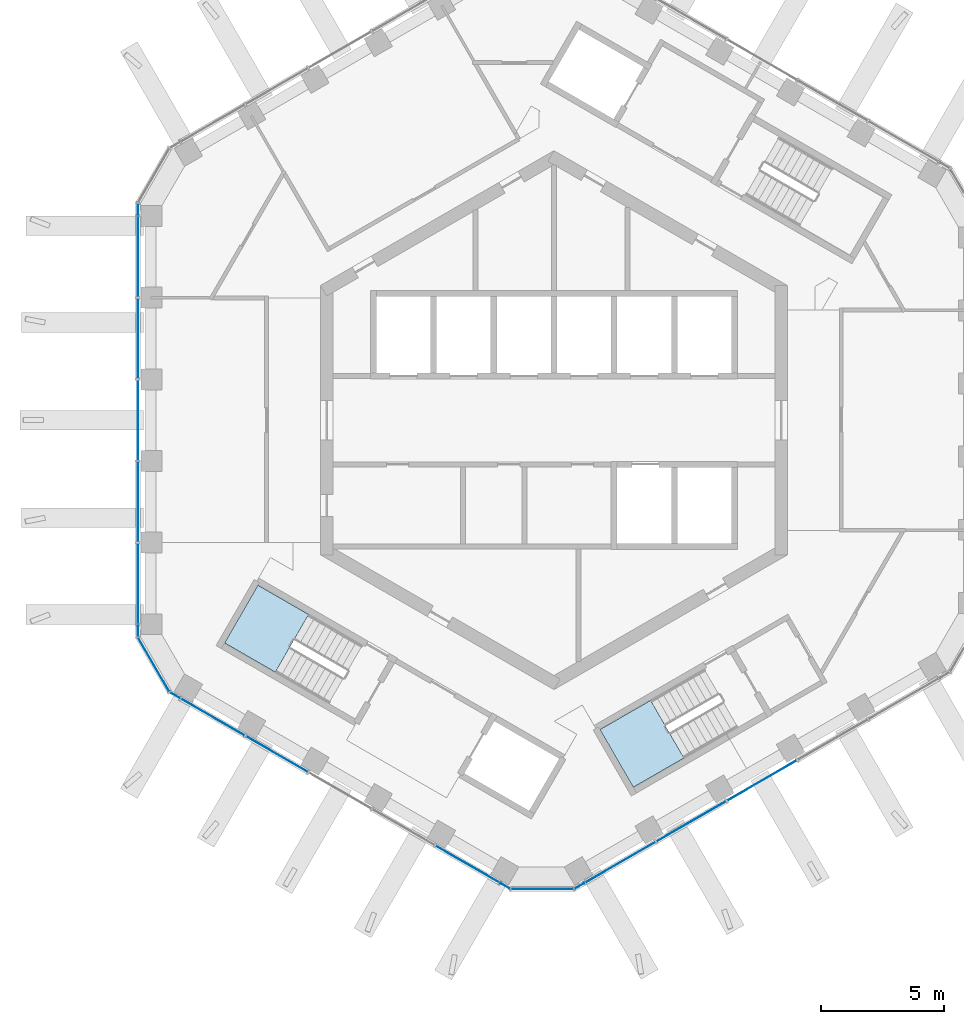
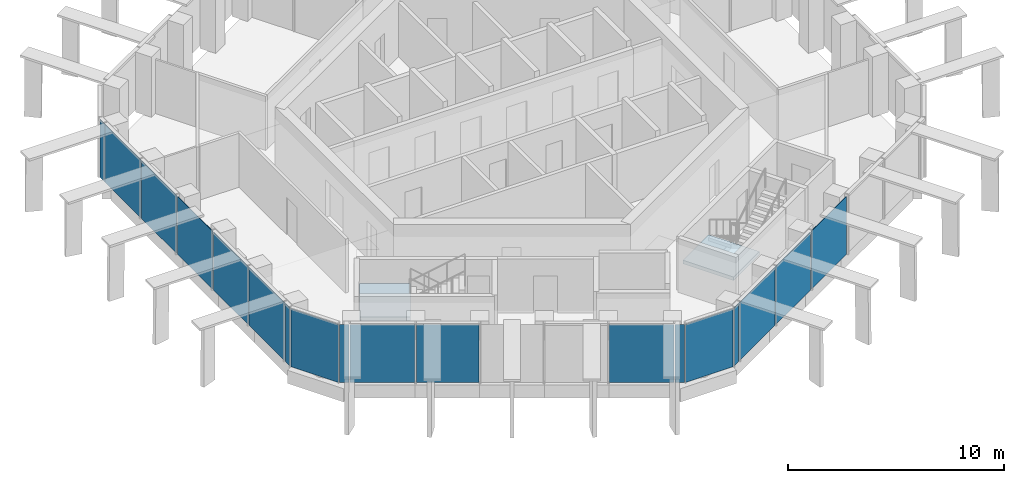
# One storey, part 7 of 17: 18 plates, 2 slabs, 8 elements without a shape of their own.
"""IFC4 building model written with IfcOpenShell, lengths in metres."""

from ifc_helpers import new_model, si_unit, direction, frame, origin, origin_2d, place, context, subcontext, project, spatial, polyline, rectangle, outline, extrude, material, layer, layer_set, type_object, element, aggregate, save


model = new_model("IFC4")

# Units and contexts
model_context = context("Model", 3, precision=1e-05, world=origin(), true_north=direction((0.0, 1.0)))
body_context = subcontext(model_context, "Body", "Model", "MODEL_VIEW")
ifc_project = project(units=[si_unit("LENGTHUNIT", "METRE"), si_unit("AREAUNIT", "SQUARE_METRE"), si_unit("VOLUMEUNIT", "CUBIC_METRE"), si_unit("PLANEANGLEUNIT", "RADIAN"), si_unit("MASSUNIT", "GRAM", prefix="KILO")], contexts=[model_context])

# Site, building, storey
site_placement = place(None, origin())
site = spatial("IfcSite", under=ifc_project, at=site_placement, CompositionType="ELEMENT")
building_placement = place(site_placement, origin())
building = spatial("IfcBuilding", under=site, at=building_placement, Name="Ayvan Gate Tower", CompositionType="ELEMENT")
storey_placement = place(building_placement, frame((0.0, 0.0, 246.10009765625)))
storey = spatial("IfcBuildingStorey", under=building, at=storey_placement, Name="L66", CompositionType="ELEMENT", Elevation=246.10009765625)

# Stair, slab
ifc_material_1 = material(Name="Concrete C40/50", Category="concrete")
stair_type = type_object("IfcStairType", Name="ST-EXIT", PredefinedType="HALF_TURN_STAIR", material=ifc_material_1)
stair_1_placement = place(storey_placement, origin())
stair_1 = element("IfcStair", 1, at=stair_1_placement, inside=storey, type_object=stair_type, Name="L66 Exit Stair S2", PredefinedType="HALF_TURN_STAIR")
ifc_layer_1 = layer(ifc_material_1, 0.199951171875)
ifc_layer_set_1 = layer_set([ifc_layer_1], Name="Concrete C40/50")
slab_type = type_object("IfcSlabType", Name="SL-LANDING-200", PredefinedType="LANDING", material=ifc_layer_set_1)
slab_1_placement = place(storey_placement, frame((0.0, 0.0, 1.5)))
slab_1 = element("IfcSlab", 2, at=slab_1_placement, type_object=slab_type, Name="STS2 landing 1", PredefinedType="LANDING", context=body_context, shape_type="SweptSolid", body=[
    extrude(outline(polyline([(-9.988525390625, -7.91064453125), (-12.049560546875, -6.720458984375), (-13.404541015625, -9.0673828125), (-11.343505859375, -10.257568359375), (-9.988525390625, -7.91064453125)])), origin(), (0.0, 0.0, 1.0), 0.199951171875),
])
aggregate(stair_1, [slab_1])

stair_2_placement = place(storey_placement, origin())
stair_2 = element("IfcStair", 3, at=stair_2_placement, inside=storey, type_object=stair_type, Name="L66 Exit Stair S3", PredefinedType="HALF_TURN_STAIR")
slab_2_placement = place(storey_placement, frame((0.0, 0.0, 1.5)))
slab_2 = element("IfcSlab", 4, at=slab_2_placement, type_object=slab_type, Name="STS3 landing 1", PredefinedType="LANDING", context=body_context, shape_type="SweptSolid", body=[
    extrude(outline(polyline([(3.93505859375, -11.405517578125), (1.873779296875, -12.595458984375), (3.228759765625, -14.9423828125), (5.2900390625, -13.75244140625), (3.93505859375, -11.405517578125)])), origin(), (0.0, 0.0, 1.0), 0.199951171875),
])
aggregate(stair_2, [slab_2])

# Curtain wall, plates
ifc_material_2 = material(Name="Bronze anodised aluminium", Category="aluminium")
ifc_layer_2 = layer(ifc_material_2, 0.199951171875)
ifc_layer_set_2 = layer_set([ifc_layer_2], Name="Bronze anodised aluminium")
curtain_wall_type_1 = type_object("IfcCurtainWallType", Name="Stick curtain wall CW-2", PredefinedType="NOTDEFINED", material=ifc_layer_set_2)
curtain_wall_1_placement = place(storey_placement, origin())
curtain_wall_1 = element("IfcCurtainWall", 5, at=curtain_wall_1_placement, inside=storey, type_object=curtain_wall_type_1, Name="Stick curtain wall CW-2 L66", PredefinedType="NOTDEFINED")
ifc_material_3 = material(Name="Clear low-iron laminated glass", Category="glass")
ifc_layer_3 = layer(ifc_material_3, 0.028076171875)
ifc_layer_set_3 = layer_set([ifc_layer_3], Name="Clear low-iron laminated glass")
plate_type_1 = type_object("IfcPlateType", Name="Stick curtain wall CW-2 glass panel", PredefinedType="CURTAIN_PANEL", material=ifc_layer_set_3)
plate_1_placement = place(storey_placement, frame((-16.937744140625, 6.673095703125, 0.0), z_axis=(0.0, 0.0, 1.0), x_axis=(0.0, -1.0, 0.0)))
plate_1 = element("IfcPlate", 6, at=plate_1_placement, type_object=plate_type_1, Name="CW-2 glass panel 1", PredefinedType="CURTAIN_PANEL", context=body_context, shape_type="SweptSolid", body=[
    extrude(rectangle(XDim=3.305908203125, YDim=0.028076171875, at=origin_2d()), origin(), (0.0, 0.0, 1.0), 3.280029296875),
])
plate_2_placement = place(storey_placement, frame((-16.937744140625, 3.32373046875, 0.0), z_axis=(0.0, 0.0, 1.0), x_axis=(0.0, -1.0, 0.0)))
plate_2 = element("IfcPlate", 7, at=plate_2_placement, type_object=plate_type_1, Name="CW-2 glass panel 2", PredefinedType="CURTAIN_PANEL", context=body_context, shape_type="SweptSolid", body=[
    extrude(rectangle(XDim=3.2529296875, YDim=0.028076171875, at=origin_2d()), origin(), (0.0, 0.0, 1.0), 3.280029296875),
])
plate_3_placement = place(storey_placement, frame((-16.937744140625, 0.000244140625, 0.0), z_axis=(0.0, 0.0, 1.0), x_axis=(0.0, -1.0, 0.0)))
plate_3 = element("IfcPlate", 8, at=plate_3_placement, type_object=plate_type_1, Name="CW-2 glass panel 3", PredefinedType="CURTAIN_PANEL", context=body_context, shape_type="SweptSolid", body=[
    extrude(rectangle(XDim=3.25390625, YDim=0.028076171875, at=origin_2d()), origin(), (0.0, 0.0, 1.0), 3.280029296875),
])
plate_4_placement = place(storey_placement, frame((-16.937744140625, -3.32373046875, 0.0), z_axis=(0.0, 0.0, 1.0), x_axis=(0.0, -1.0, 0.0)))
plate_4 = element("IfcPlate", 9, at=plate_4_placement, type_object=plate_type_1, Name="CW-2 glass panel 4", PredefinedType="CURTAIN_PANEL", context=body_context, shape_type="SweptSolid", body=[
    extrude(rectangle(XDim=3.25390625, YDim=0.028076171875, at=origin_2d()), origin(), (0.0, 0.0, 1.0), 3.280029296875),
])
plate_5_placement = place(storey_placement, frame((-16.937744140625, -6.673583984375, 0.0), z_axis=(0.0, 0.0, 1.0), x_axis=(0.0, -1.0, 0.0)))
plate_5 = element("IfcPlate", 10, at=plate_5_placement, type_object=plate_type_1, Name="CW-2 glass panel 5", PredefinedType="CURTAIN_PANEL", context=body_context, shape_type="SweptSolid", body=[
    extrude(rectangle(XDim=3.305419921875, YDim=0.028076171875, at=origin_2d()), origin(), (0.0, 0.0, 1.0), 3.280029296875),
])
aggregate(curtain_wall_1, [plate_1, plate_2, plate_3, plate_4, plate_5])

curtain_wall_2_placement = place(storey_placement, origin())
curtain_wall_2 = element("IfcCurtainWall", 11, at=curtain_wall_2_placement, inside=storey, type_object=curtain_wall_type_1, Name="Stick curtain wall CW-2 L66", PredefinedType="NOTDEFINED")
plate_6_placement = place(storey_placement, frame((-13.90234375, -12.079833984375, 0.0), z_axis=(0.0, 0.0, 1.0), x_axis=(0.866025403784, -0.5, 0.0)))
plate_6 = element("IfcPlate", 12, at=plate_6_placement, type_object=plate_type_1, Name="CW-2 glass panel 1", PredefinedType="CURTAIN_PANEL", context=body_context, shape_type="SweptSolid", body=[
    extrude(rectangle(XDim=3.008056640625, YDim=0.028076171875, at=origin_2d()), origin(), (0.0, 0.0, 1.0), 3.280029296875),
])
plate_7_placement = place(storey_placement, frame((-11.28173828125, -13.5927734375, 0.0), z_axis=(0.0, 0.0, 1.0), x_axis=(0.866025403784, -0.5, 0.0)))
plate_7 = element("IfcPlate", 13, at=plate_7_placement, type_object=plate_type_1, Name="CW-2 glass panel 2", PredefinedType="CURTAIN_PANEL", context=body_context, shape_type="SweptSolid", body=[
    extrude(rectangle(XDim=2.904052734375, YDim=0.028076171875, at=origin_2d()), origin(), (0.0, 0.0, 1.0), 3.280029296875),
])
plate_8_placement = place(storey_placement, frame((-3.510009765625, -18.07958984375, 0.0), z_axis=(0.0, 0.0, 1.0), x_axis=(0.866025403784, -0.5, 0.0)))
plate_8 = element("IfcPlate", 14, at=plate_8_placement, type_object=plate_type_1, Name="CW-2 glass panel 5", PredefinedType="CURTAIN_PANEL", context=body_context, shape_type="SweptSolid", body=[
    extrude(rectangle(XDim=3.007568359375, YDim=0.028076171875, at=origin_2d()), origin(), (0.0, 0.0, 1.0), 3.280029296875),
])
aggregate(curtain_wall_2, [plate_6, plate_7, plate_8])

curtain_wall_3_placement = place(storey_placement, origin())
curtain_wall_3 = element("IfcCurtainWall", 15, at=curtain_wall_3_placement, inside=storey, type_object=curtain_wall_type_1, Name="Stick curtain wall CW-2 L66", PredefinedType="NOTDEFINED")
plate_9_placement = place(storey_placement, frame((2.689697265625, -18.005126953125, 0.0), z_axis=(0.0, 0.0, 1.0), x_axis=(0.866025403784, 0.5, 0.0)))
plate_9 = element("IfcPlate", 16, at=plate_9_placement, type_object=plate_type_1, Name="CW-2 glass panel 1", PredefinedType="CURTAIN_PANEL", context=body_context, shape_type="SweptSolid", body=[
    extrude(rectangle(XDim=3.305908203125, YDim=0.028076171875, at=origin_2d()), origin(), (0.0, 0.0, 1.0), 3.280029296875),
])
plate_10_placement = place(storey_placement, frame((5.590576171875, -16.330322265625, 0.0), z_axis=(0.0, 0.0, 1.0), x_axis=(0.866025403784, 0.5, 0.0)))
plate_10 = element("IfcPlate", 17, at=plate_10_placement, type_object=plate_type_1, Name="CW-2 glass panel 2", PredefinedType="CURTAIN_PANEL", context=body_context, shape_type="SweptSolid", body=[
    extrude(rectangle(XDim=3.2529296875, YDim=0.028076171875, at=origin_2d()), origin(), (0.0, 0.0, 1.0), 3.280029296875),
])
plate_11_placement = place(storey_placement, frame((8.46875, -14.668701171875, 0.0), z_axis=(0.0, 0.0, 1.0), x_axis=(0.866025403784, 0.5, 0.0)))
plate_11 = element("IfcPlate", 18, at=plate_11_placement, type_object=plate_type_1, Name="CW-2 glass panel 3", PredefinedType="CURTAIN_PANEL", context=body_context, shape_type="SweptSolid", body=[
    extrude(rectangle(XDim=3.25390625, YDim=0.028076171875, at=origin_2d()), origin(), (0.0, 0.0, 1.0), 3.280029296875),
])
aggregate(curtain_wall_3, [plate_9, plate_10, plate_11])

# Curtain wall, plate
ifc_layer_4 = layer(ifc_material_2, 0.199951171875)
ifc_layer_set_4 = layer_set([ifc_layer_4], Name="Bronze anodised aluminium")
curtain_wall_type_2 = type_object("IfcCurtainWallType", Name="Stick curtain wall CW-6", PredefinedType="NOTDEFINED", material=ifc_layer_set_4)
curtain_wall_4_placement = place(storey_placement, origin())
curtain_wall_4 = element("IfcCurtainWall", 19, at=curtain_wall_4_placement, inside=storey, type_object=curtain_wall_type_2, Name="Stick curtain wall CW-6 L66", PredefinedType="NOTDEFINED")
ifc_layer_5 = layer(ifc_material_3, 0.028076171875)
ifc_layer_set_5 = layer_set([ifc_layer_5], Name="Clear low-iron laminated glass")
plate_type_2 = type_object("IfcPlateType", Name="Stick curtain wall CW-6 glass panel", PredefinedType="CURTAIN_PANEL", material=ifc_layer_set_5)
plate_12_placement = place(storey_placement, frame((-16.937744140625, 8.586181640625, 0.0), z_axis=(0.0, 0.0, 1.0), x_axis=(0.0, -1.0, 0.0)))
plate_12 = element("IfcPlate", 20, at=plate_12_placement, type_object=plate_type_2, Name="CW-6 glass panel 3", PredefinedType="CURTAIN_PANEL", context=body_context, shape_type="SweptSolid", body=[
    extrude(rectangle(XDim=0.449951171875, YDim=0.028076171875, at=origin_2d()), origin(), (0.0, 0.0, 1.0), 3.280029296875),
])
aggregate(curtain_wall_4, [plate_12])

# Curtain wall, plates
curtain_wall_5_placement = place(storey_placement, origin())
curtain_wall_5 = element("IfcCurtainWall", 21, at=curtain_wall_5_placement, inside=storey, type_object=curtain_wall_type_2, Name="Stick curtain wall CW-6 L66", PredefinedType="NOTDEFINED")
plate_13_placement = place(storey_placement, frame((-16.937744140625, -8.586181640625, 0.0), z_axis=(0.0, 0.0, 1.0), x_axis=(0.0, -1.0, 0.0)))
plate_13 = element("IfcPlate", 22, at=plate_13_placement, type_object=plate_type_2, Name="CW-6 glass panel 1", PredefinedType="CURTAIN_PANEL", context=body_context, shape_type="SweptSolid", body=[
    extrude(rectangle(XDim=0.449951171875, YDim=0.028076171875, at=origin_2d()), origin(), (0.0, 0.0, 1.0), 3.280029296875),
])
plate_14_placement = place(storey_placement, frame((-16.2919921875, -9.954345703125, 0.0), z_axis=(0.0, 0.0, 1.0), x_axis=(0.5, -0.866025403784, 0.0)))
plate_14 = element("IfcPlate", 23, at=plate_14_placement, type_object=plate_type_2, Name="CW-6 glass panel 2", PredefinedType="CURTAIN_PANEL", context=body_context, shape_type="SweptSolid", body=[
    extrude(rectangle(XDim=2.532470703125, YDim=0.028076171875, at=origin_2d()), origin(), (0.0, 0.0, 1.0), 3.280029296875),
])
plate_15_placement = place(storey_placement, frame((-15.429931640625, -11.19775390625, 0.0), z_axis=(0.0, 0.0, 1.0), x_axis=(0.866025403784, -0.5, 0.0)))
plate_15 = element("IfcPlate", 24, at=plate_15_placement, type_object=plate_type_2, Name="CW-6 glass panel 3", PredefinedType="CURTAIN_PANEL", context=body_context, shape_type="SweptSolid", body=[
    extrude(rectangle(XDim=0.449951171875, YDim=0.028076171875, at=origin_2d()), origin(), (0.0, 0.0, 1.0), 3.280029296875),
])
aggregate(curtain_wall_5, [plate_13, plate_14, plate_15])

curtain_wall_6_placement = place(storey_placement, origin())
curtain_wall_6 = element("IfcCurtainWall", 25, at=curtain_wall_6_placement, inside=storey, type_object=curtain_wall_type_2, Name="Stick curtain wall CW-6 L66", PredefinedType="NOTDEFINED")
plate_16_placement = place(storey_placement, frame((-1.982666015625, -18.961669921875, 0.0), z_axis=(0.0, 0.0, 1.0), x_axis=(0.866025403784, -0.5, 0.0)))
plate_16 = element("IfcPlate", 26, at=plate_16_placement, type_object=plate_type_2, Name="CW-6 glass panel 1", PredefinedType="CURTAIN_PANEL", context=body_context, shape_type="SweptSolid", body=[
    extrude(rectangle(XDim=0.449951171875, YDim=0.028076171875, at=origin_2d()), origin(), (0.0, 0.0, 1.0), 3.280029296875),
])
plate_17_placement = place(storey_placement, frame((-0.474853515625, -19.086669921875, 0.0), z_axis=(0.0, 0.0, 1.0), x_axis=(1.0, 0.0, 0.0)))
plate_17 = element("IfcPlate", 27, at=plate_17_placement, type_object=plate_type_2, Name="CW-6 glass panel 2", PredefinedType="CURTAIN_PANEL", context=body_context, shape_type="SweptSolid", body=[
    extrude(rectangle(XDim=2.532470703125, YDim=0.028076171875, at=origin_2d()), origin(), (0.0, 0.0, 1.0), 3.280029296875),
])
plate_18_placement = place(storey_placement, frame((1.032958984375, -18.961669921875, 0.0), z_axis=(0.0, 0.0, 1.0), x_axis=(0.866025403784, 0.5, 0.0)))
plate_18 = element("IfcPlate", 28, at=plate_18_placement, type_object=plate_type_2, Name="CW-6 glass panel 3", PredefinedType="CURTAIN_PANEL", context=body_context, shape_type="SweptSolid", body=[
    extrude(rectangle(XDim=0.449951171875, YDim=0.028076171875, at=origin_2d()), origin(), (0.0, 0.0, 1.0), 3.280029296875),
])
aggregate(curtain_wall_6, [plate_16, plate_17, plate_18])

save(model, "model.ifc")
